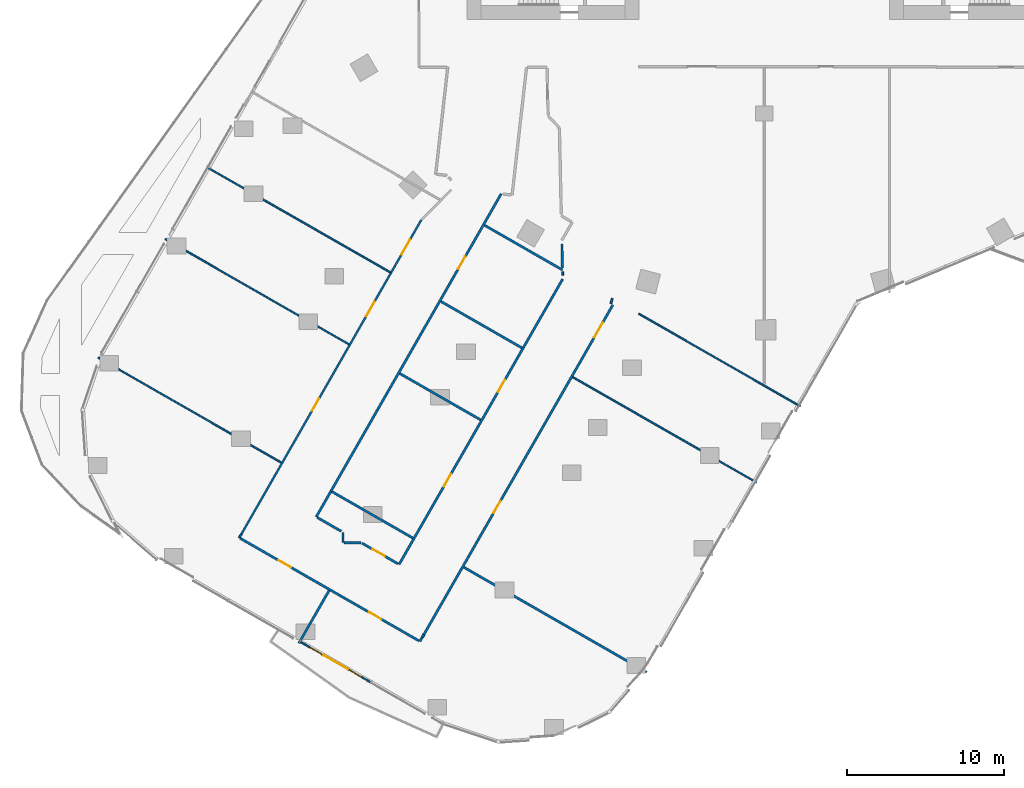
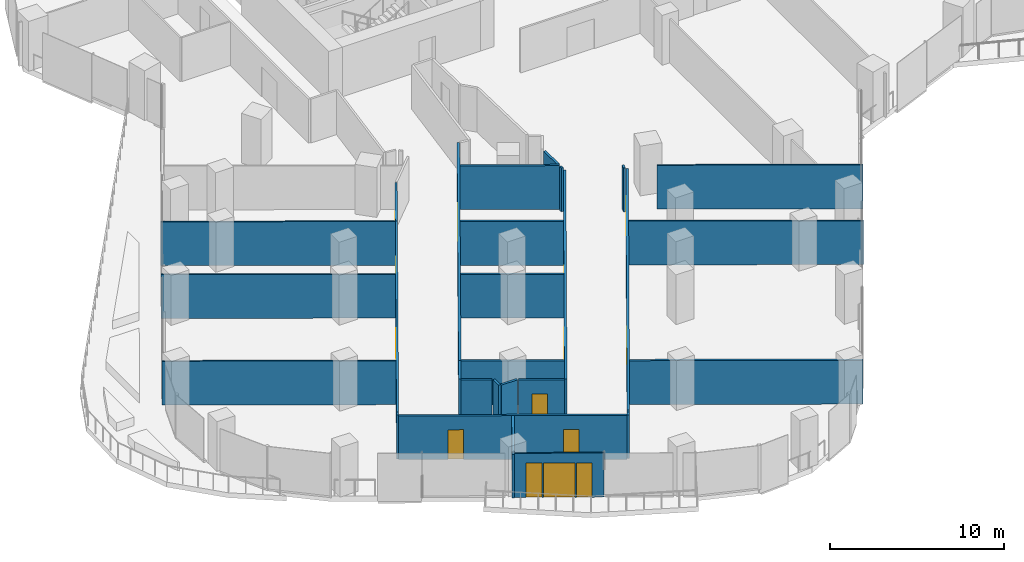
# One storey, part 22 of 34: 29 walls, 12 doors, 2 windows, 14 openings.
"""IFC4 building model written with IfcOpenShell, lengths in metres."""

from ifc_helpers import new_model, si_unit, direction, frame, frame_2d, origin, place, context, subcontext, project, spatial, rectangle, extrude, material, layer, layer_set, type_object, element, fill, save


model = new_model("IFC4")

# Units and contexts
model_context = context("Model", 3, precision=1e-05, world=origin(), true_north=direction((0.0, 1.0)))
body_context = subcontext(model_context, "Body", "Model", "MODEL_VIEW")
ifc_project = project(units=[si_unit("LENGTHUNIT", "METRE"), si_unit("AREAUNIT", "SQUARE_METRE"), si_unit("VOLUMEUNIT", "CUBIC_METRE"), si_unit("PLANEANGLEUNIT", "RADIAN"), si_unit("MASSUNIT", "GRAM", prefix="KILO")], contexts=[model_context])

# Site, building, storey
site_placement = place(None, origin())
site = spatial("IfcSite", under=ifc_project, at=site_placement, CompositionType="ELEMENT")
building_placement = place(site_placement, origin())
building = spatial("IfcBuilding", under=site, at=building_placement, Name="Orlundy Tower", CompositionType="ELEMENT")
storey_placement = place(building_placement, frame((0.0, 0.0, 102.199951171875)))
storey = spatial("IfcBuildingStorey", under=building, at=storey_placement, Name="L25", CompositionType="ELEMENT", Elevation=102.199951171875)

# Walls
ifc_material_1 = material(Name="Gypsum board partition")
ifc_layer_1 = layer(ifc_material_1, 0.10009765625)
ifc_layer_set_1 = layer_set([ifc_layer_1], Name="Floor partition 100")
wall_type_1 = type_object("IfcWallType", Name="Floor partition 100", PredefinedType="PARTITIONING", material=ifc_layer_set_1)
wall_1_placement = place(storey_placement, frame((-42.5419921875, -33.5869140625, 0.0), z_axis=(0.0, 0.0, 1.0), x_axis=(0.867443920759, -0.497534967956, 0.0)))
element("IfcWall", 1, at=wall_1_placement, inside=storey, type_object=wall_type_1, Name="wall-int-L25-012", PredefinedType="PARTITIONING", context=body_context, shape_type="SweptSolid", body=[
    extrude(rectangle(XDim=13.478515625, YDim=0.10009765625, at=frame_2d((6.7392578125, 0.0))), origin(), (0.0, 0.0, 1.0), 3.080078125),
])
wall_2_placement = place(storey_placement, frame((-38.260986328125, -26.012939453125, 0.0), z_axis=(0.0, 0.0, 1.0), x_axis=(0.867449007851, -0.49752609859, 0.0)))
element("IfcWall", 2, at=wall_2_placement, inside=storey, type_object=wall_type_1, Name="wall-int-L25-015", PredefinedType="PARTITIONING", context=body_context, shape_type="SweptSolid", body=[
    extrude(rectangle(XDim=13.52685546875, YDim=0.10009765625, at=frame_2d((6.763427734375, 0.0))), origin(), (0.0, 0.0, 1.0), 3.080078125),
])
wall_3_placement = place(storey_placement, frame((-35.6240234375, -21.4150390625, 0.0), z_axis=(0.0, 0.0, 1.0), x_axis=(0.867457713736, -0.497510919358, 0.0)))
element("IfcWall", 3, at=wall_3_placement, inside=storey, type_object=wall_type_1, Name="wall-int-L25-017", PredefinedType="PARTITIONING", context=body_context, shape_type="SweptSolid", body=[
    extrude(rectangle(XDim=13.5234375, YDim=0.10009765625, at=frame_2d((6.76171875, 0.0))), origin(), (0.0, 0.0, 1.0), 3.080078125),
])
wall_4_placement = place(storey_placement, frame((-12.22509765625, -34.8349609375, 0.0), z_axis=(0.0, 0.0, 1.0), x_axis=(0.867497921586, -0.497440806573, 0.0)))
element("IfcWall", 4, at=wall_4_placement, inside=storey, type_object=wall_type_1, Name="wall-int-L25-019", PredefinedType="PARTITIONING", context=body_context, shape_type="SweptSolid", body=[
    extrude(rectangle(XDim=13.525390625, YDim=0.10009765625, at=frame_2d((6.7626953125, 0.0))), origin(), (0.0, 0.0, 1.0), 3.080078125),
])
wall_5_placement = place(storey_placement, frame((-8.014892578125, -30.784912109375, 0.0), z_axis=(0.0, 0.0, 1.0), x_axis=(0.867483873935, -0.497465303778, 0.0)))
element("IfcWall", 5, at=wall_5_placement, inside=storey, type_object=wall_type_1, Name="wall-int-L25-022", PredefinedType="PARTITIONING", context=body_context, shape_type="SweptSolid", body=[
    extrude(rectangle(XDim=11.888427734375, YDim=0.10009765625, at=frame_2d((5.9443359375, 0.0))), origin(), (0.0, 0.0, 1.0), 3.080078125),
])
ifc_material_2 = material(Name="Gypsum board partition, double layer")
ifc_layer_2 = layer(ifc_material_2, 0.125)
ifc_layer_set_2 = layer_set([ifc_layer_2], Name="Floor partition 125")
wall_type_2 = type_object("IfcWallType", Name="Floor partition 125", PredefinedType="PARTITIONING", material=ifc_layer_set_2)
wall_6_placement = place(storey_placement, frame((-12.883056640625, -28.116943359375, 0.0), z_axis=(0.0, 0.0, 1.0), x_axis=(0.019672118342, -0.999806485156, 0.0)))
element("IfcWall", 6, at=wall_6_placement, inside=storey, type_object=wall_type_2, Name="wall-int-L25-005", PredefinedType="PARTITIONING", context=body_context, shape_type="SweptSolid", body=[
    extrude(rectangle(XDim=0.2109375, YDim=0.125, at=frame_2d((0.10546875, 0.0))), origin(), (0.0, 0.0, 1.0), 3.080078125),
])

# Wall, opening, door
wall_7_placement = place(storey_placement, frame((-23.839111328125, -28.174072265625, 0.0), z_axis=(0.0, 0.0, 1.0), x_axis=(0.49701747238, 0.867740532734, 0.0)))
wall_7 = element("IfcWall", 7, at=wall_7_placement, inside=storey, type_object=wall_type_2, Name="wall-int-L25-063", PredefinedType="PARTITIONING", context=body_context, shape_type="SweptSolid", body=[
    extrude(rectangle(XDim=3.889404296875, YDim=0.125, at=frame_2d((1.94482421875, 0.0))), origin(), (0.0, 0.0, 1.0), 3.080078125),
])
opening_1_placement = place(wall_7_placement, frame((1.35009765625, 0.0, 0.0)))
opening_1 = element("IfcOpeningElement", 8, at=opening_1_placement, cuts=wall_7, Name="Opening 20117", PredefinedType="OPENING", context=body_context, shape_type="SweptSolid", body=[
    extrude(rectangle(XDim=1.10009765625, YDim=2.10009765625, at=frame_2d((0.550048828125, 1.050048828125))), frame((0.0, 0.072509765625, 0.0), z_axis=(0.0, -1.0, 0.0), x_axis=(1.0, 0.0, 0.0)), (0.0, 0.0, 1.0), 0.14501953125),
])
ifc_material_3 = material(Name="Timber door leaf", Category="wood")
door_type_1 = type_object("IfcDoorType", Name="Floor door xwide 1100 FD30S", OperationType="NOTDEFINED", PredefinedType="DOOR", material=ifc_material_3)
door_1_placement = place(opening_1_placement, origin())
door_1 = element("IfcDoor", 9, at=door_1_placement, inside=storey, type_object=door_type_1, Name="Door 20117", OperationType="SINGLE_SWING_LEFT", OverallHeight=2.10009765625, OverallWidth=1.10009765625, PredefinedType="DOOR", context=body_context, shape_type="SweptSolid", body=[
    extrude(rectangle(XDim=1.10009765625, YDim=2.10009765625, at=frame_2d((0.550048828125, 1.050048828125))), frame((0.0, 0.02490234375, 0.0), z_axis=(0.0, -1.0, 0.0), x_axis=(1.0, 0.0, 0.0)), (0.0, 0.0, 1.0), 0.050048828125),
])
fill(opening_1, door_1)

# Wall, openings, doors
wall_8_placement = place(storey_placement, frame((-33.3798828125, -44.8369140625, 0.0), z_axis=(0.0, 0.0, 1.0), x_axis=(0.496890503853, 0.867813244414, 0.0)))
wall_8 = element("IfcWall", 10, at=wall_8_placement, inside=storey, type_object=wall_type_2, Name="wall-int-L25-064", PredefinedType="PARTITIONING", context=body_context, shape_type="SweptSolid", body=[
    extrude(rectangle(XDim=19.200927734375, YDim=0.125, at=frame_2d((9.6005859375, 0.0))), origin(), (0.0, 0.0, 1.0), 3.080078125),
])
opening_2_placement = place(wall_8_placement, frame((16.00048828125, 0.0, 0.0)))
opening_2 = element("IfcOpeningElement", 11, at=opening_2_placement, cuts=wall_8, Name="Opening 20118", PredefinedType="OPENING", context=body_context, shape_type="SweptSolid", body=[
    extrude(rectangle(XDim=1.10009765625, YDim=2.10009765625, at=frame_2d((0.550048828125, 1.050048828125))), frame((0.0, 0.072509765625, 0.0), z_axis=(0.0, -1.0, 0.0), x_axis=(1.0, 0.0, 0.0)), (0.0, 0.0, 1.0), 0.14501953125),
])
opening_3_placement = place(wall_8_placement, frame((9.05029296875, 0.0, 0.0)))
opening_3 = element("IfcOpeningElement", 12, at=opening_3_placement, cuts=wall_8, Name="Opening 20119", PredefinedType="OPENING", context=body_context, shape_type="SweptSolid", body=[
    extrude(rectangle(XDim=0.89990234375, YDim=2.10009765625, at=frame_2d((0.449951171875, 1.050048828125))), frame((0.0, 0.072509765625, 0.0), z_axis=(0.0, -1.0, 0.0), x_axis=(1.0, 0.0, 0.0)), (0.0, 0.0, 1.0), 0.14501953125),
])
ifc_material_4 = material(Name="Timber door leaf", Category="wood")
door_type_2 = type_object("IfcDoorType", Name="Floor door single 900 FD30S", OperationType="NOTDEFINED", PredefinedType="DOOR", material=ifc_material_4)
door_2_placement = place(opening_3_placement, origin())
door_2 = element("IfcDoor", 13, at=door_2_placement, inside=storey, type_object=door_type_2, Name="Door 20119", OperationType="SINGLE_SWING_LEFT", OverallHeight=2.10009765625, OverallWidth=0.89990234375, PredefinedType="DOOR", context=body_context, shape_type="SweptSolid", body=[
    extrude(rectangle(XDim=0.89990234375, YDim=2.10009765625, at=frame_2d((0.449951171875, 1.050048828125))), frame((0.0, 0.02490234375, 0.0), z_axis=(0.0, -1.0, 0.0), x_axis=(1.0, 0.0, 0.0)), (0.0, 0.0, 1.0), 0.050048828125),
])
fill(opening_3, door_2)
door_3_placement = place(opening_2_placement, origin())
door_3 = element("IfcDoor", 14, at=door_3_placement, inside=storey, type_object=door_type_1, Name="Door 20118", OperationType="SINGLE_SWING_RIGHT", OverallHeight=2.10009765625, OverallWidth=1.10009765625, PredefinedType="DOOR", context=body_context, shape_type="SweptSolid", body=[
    extrude(rectangle(XDim=1.10009765625, YDim=2.10009765625, at=frame_2d((0.550048828125, 1.050048828125))), frame((0.0, 0.02490234375, 0.0), z_axis=(0.0, -1.0, 0.0), x_axis=(1.0, 0.0, 0.0)), (0.0, 0.0, 1.0), 0.050048828125),
])
fill(opening_2, door_3)

# Walls
wall_9_placement = place(storey_placement, frame((-33.528076171875, -45.096923828125, 0.0), z_axis=(0.0, 0.0, 1.0), x_axis=(0.49517225761, 0.868794817718, 0.0)))
element("IfcWall", 15, at=wall_9_placement, inside=storey, type_object=wall_type_2, Name="wall-int-L25-066", PredefinedType="PARTITIONING", context=body_context, shape_type="SweptSolid", body=[
    extrude(rectangle(XDim=0.29931640625, YDim=0.125, at=frame_2d((0.149658203125, 0.0))), origin(), (0.0, 0.0, 1.0), 3.080078125),
])
wall_10_placement = place(storey_placement, frame((-9.7919921875, -30.136962890625, 0.0), z_axis=(0.0, 0.0, 1.0), x_axis=(0.248903704167, 0.968528237096, 0.0)))
element("IfcWall", 16, at=wall_10_placement, inside=storey, type_object=wall_type_2, Name="wall-int-L25-080", PredefinedType="PARTITIONING", context=body_context, shape_type="SweptSolid", body=[
    extrude(rectangle(XDim=0.33349609375, YDim=0.125, at=frame_2d((0.166748046875, 0.0))), origin(), (0.0, 0.0, 1.0), 3.080078125),
])
ifc_material_5 = material(Name="Blockwork shaft wall", Category="masonry")
ifc_layer_3 = layer(ifc_material_5, 0.14990234375)
ifc_layer_set_3 = layer_set([ifc_layer_3], Name="Floor shaft wall 150")
wall_type_3 = type_object("IfcWallType", Name="Floor shaft wall 150", PredefinedType="PARTITIONING", material=ifc_layer_set_3)
wall_11_placement = place(storey_placement, frame((-12.922119140625, -26.342041015625, 0.0), z_axis=(0.0, 0.0, 1.0), x_axis=(0.021884343994, -0.999760509066, 0.0)))
element("IfcWall", 17, at=wall_11_placement, inside=storey, type_object=wall_type_3, Name="wall-int-L25-002", PredefinedType="PARTITIONING", context=body_context, shape_type="SweptSolid", body=[
    extrude(rectangle(XDim=1.51708984375, YDim=0.14990234375, at=frame_2d((0.758544921875, 0.0))), origin(), (0.0, 0.0, 1.0), 3.080078125),
])

# Wall, openings, doors
wall_12_placement = place(storey_placement, frame((-22.05908203125, -51.675048828125, 0.0), z_axis=(0.0, 0.0, 1.0), x_axis=(-0.867448548379, 0.49752689969, 0.0)))
wall_12 = element("IfcWall", 18, at=wall_12_placement, inside=storey, type_object=wall_type_3, Name="wall-int-L25-009", PredefinedType="PARTITIONING", context=body_context, shape_type="SweptSolid", body=[
    extrude(rectangle(XDim=13.159423828125, YDim=0.14990234375, at=frame_2d((6.57958984375, 0.0))), origin(), (0.0, 0.0, 1.0), 3.080078125),
])
opening_4_placement = place(wall_12_placement, frame((2.77197265625, 0.0, 0.0)))
opening_4 = element("IfcOpeningElement", 19, at=opening_4_placement, cuts=wall_12, Name="Opening 20115", PredefinedType="OPENING", context=body_context, shape_type="SweptSolid", body=[
    extrude(rectangle(XDim=0.89990234375, YDim=2.10009765625, at=frame_2d((0.449951171875, 1.050048828125))), frame((0.0, 0.0849609375, 0.0), z_axis=(0.0, -1.0, 0.0), x_axis=(1.0, 0.0, 0.0)), (0.0, 0.0, 1.0), 0.169921875),
])
opening_5_placement = place(wall_12_placement, frame((9.421142578125, 0.0, 0.0)))
opening_5 = element("IfcOpeningElement", 20, at=opening_5_placement, cuts=wall_12, Name="Opening 20116", PredefinedType="OPENING", context=body_context, shape_type="SweptSolid", body=[
    extrude(rectangle(XDim=0.89990234375, YDim=2.10009765625, at=frame_2d((0.449951171875, 1.050048828125))), frame((0.0, 0.0849609375, 0.0), z_axis=(0.0, -1.0, 0.0), x_axis=(1.0, 0.0, 0.0)), (0.0, 0.0, 1.0), 0.169921875),
])
ifc_material_6 = material(Name="Timber door leaf", Category="wood")
door_type_3 = type_object("IfcDoorType", Name="Floor door single 900 FD60", OperationType="NOTDEFINED", PredefinedType="DOOR", material=ifc_material_6)
door_4_placement = place(opening_4_placement, origin())
door_4 = element("IfcDoor", 21, at=door_4_placement, inside=storey, type_object=door_type_3, Name="Door 20115", OperationType="SINGLE_SWING_LEFT", OverallHeight=2.10009765625, OverallWidth=0.89990234375, PredefinedType="DOOR", context=body_context, shape_type="SweptSolid", body=[
    extrude(rectangle(XDim=0.89990234375, YDim=2.10009765625, at=frame_2d((0.449951171875, 1.050048828125))), frame((0.0, 0.02490234375, 0.0), z_axis=(0.0, -1.0, 0.0), x_axis=(1.0, 0.0, 0.0)), (0.0, 0.0, 1.0), 0.050048828125),
])
fill(opening_4, door_4)
door_5_placement = place(opening_5_placement, origin())
door_5 = element("IfcDoor", 22, at=door_5_placement, inside=storey, type_object=door_type_3, Name="Door 20116", OperationType="SINGLE_SWING_RIGHT", OverallHeight=2.10009765625, OverallWidth=0.89990234375, PredefinedType="DOOR", context=body_context, shape_type="SweptSolid", body=[
    extrude(rectangle(XDim=0.89990234375, YDim=2.10009765625, at=frame_2d((0.449951171875, 1.050048828125))), frame((0.0, 0.02490234375, 0.0), z_axis=(0.0, -1.0, 0.0), x_axis=(1.0, 0.0, 0.0)), (0.0, 0.0, 1.0), 0.050048828125),
])
fill(opening_5, door_5)

# Wall
wall_13_placement = place(storey_placement, frame((-28.550048828125, -43.801025390625, 0.0), z_axis=(0.0, 0.0, 1.0), x_axis=(0.86725420263, -0.497865592325, 0.0)))
element("IfcWall", 23, at=wall_13_placement, inside=storey, type_object=wall_type_3, Name="wall-int-L25-010", PredefinedType="PARTITIONING", context=body_context, shape_type="SweptSolid", body=[
    extrude(rectangle(XDim=1.765380859375, YDim=0.14990234375, at=frame_2d((0.8828125, 0.0))), origin(), (0.0, 0.0, 1.0), 3.080078125),
])

# Wall, opening, door
wall_14_placement = place(storey_placement, frame((-25.68896484375, -45.44189453125, 0.0), z_axis=(0.0, 0.0, 1.0), x_axis=(0.867398027083, -0.497614974264, 0.0)))
wall_14 = element("IfcWall", 24, at=wall_14_placement, inside=storey, type_object=wall_type_3, Name="wall-int-L25-011", PredefinedType="PARTITIONING", context=body_context, shape_type="SweptSolid", body=[
    extrude(rectangle(XDim=2.65283203125, YDim=0.14990234375, at=frame_2d((1.326416015625, 0.0))), origin(), (0.0, 0.0, 1.0), 3.080078125),
])
opening_6_placement = place(wall_14_placement, frame((0.77490234375, 0.0, 0.0)))
opening_6 = element("IfcOpeningElement", 25, at=opening_6_placement, cuts=wall_14, Name="Opening 20110", PredefinedType="OPENING", context=body_context, shape_type="SweptSolid", body=[
    extrude(rectangle(XDim=0.89990234375, YDim=2.10009765625, at=frame_2d((0.449951171875, 1.050048828125))), frame((0.0, 0.0849609375, 0.0), z_axis=(0.0, -1.0, 0.0), x_axis=(1.0, 0.0, 0.0)), (0.0, 0.0, 1.0), 0.169921875),
])
door_6_placement = place(opening_6_placement, origin())
door_6 = element("IfcDoor", 26, at=door_6_placement, inside=storey, type_object=door_type_3, Name="Door 20110", OperationType="SINGLE_SWING_LEFT", OverallHeight=2.10009765625, OverallWidth=0.89990234375, PredefinedType="DOOR", context=body_context, shape_type="SweptSolid", body=[
    extrude(rectangle(XDim=0.89990234375, YDim=2.10009765625, at=frame_2d((0.449951171875, 1.050048828125))), frame((0.0, 0.02490234375, 0.0), z_axis=(0.0, -1.0, 0.0), x_axis=(1.0, 0.0, 0.0)), (0.0, 0.0, 1.0), 0.050048828125),
])
fill(opening_6, door_6)

# Walls
wall_15_placement = place(storey_placement, frame((-27.60595703125, -42.153076171875, 0.0), z_axis=(0.0, 0.0, 1.0), x_axis=(0.867464576118, -0.497498953949, 0.0)))
element("IfcWall", 27, at=wall_15_placement, inside=storey, type_object=wall_type_3, Name="wall-int-L25-013", PredefinedType="PARTITIONING", context=body_context, shape_type="SweptSolid", body=[
    extrude(rectangle(XDim=5.95166015625, YDim=0.14990234375, at=frame_2d((2.975830078125, 0.0))), origin(), (0.0, 0.0, 1.0), 3.080078125),
])
wall_16_placement = place(storey_placement, frame((-19.18896484375, -46.97998046875, 0.0), z_axis=(0.0, 0.0, 1.0), x_axis=(0.867482561881, -0.497467591742, 0.0)))
element("IfcWall", 28, at=wall_16_placement, inside=storey, type_object=wall_type_3, Name="wall-int-L25-014", PredefinedType="PARTITIONING", context=body_context, shape_type="SweptSolid", body=[
    extrude(rectangle(XDim=13.469970703125, YDim=0.14990234375, at=frame_2d((6.73486328125, 0.0))), origin(), (0.0, 0.0, 1.0), 3.080078125),
])
wall_17_placement = place(storey_placement, frame((-23.282958984375, -34.60205078125, 0.0), z_axis=(0.0, 0.0, 1.0), x_axis=(0.867394604178, -0.497620940719, 0.0)))
element("IfcWall", 29, at=wall_17_placement, inside=storey, type_object=wall_type_3, Name="wall-int-L25-016", PredefinedType="PARTITIONING", context=body_context, shape_type="SweptSolid", body=[
    extrude(rectangle(XDim=5.9580078125, YDim=0.14990234375, at=frame_2d((2.97900390625, 0.0))), origin(), (0.0, 0.0, 1.0), 3.080078125),
])
wall_18_placement = place(storey_placement, frame((-20.64990234375, -30.0029296875, 0.0), z_axis=(0.0, 0.0, 1.0), x_axis=(0.867468461176, -0.497492179703, 0.0)))
element("IfcWall", 30, at=wall_18_placement, inside=storey, type_object=wall_type_3, Name="wall-int-L25-018", PredefinedType="PARTITIONING", context=body_context, shape_type="SweptSolid", body=[
    extrude(rectangle(XDim=5.9619140625, YDim=0.14990234375, at=frame_2d((2.98095703125, 0.0))), origin(), (0.0, 0.0, 1.0), 3.080078125),
])
wall_19_placement = place(storey_placement, frame((-17.864013671875, -25.136962890625, 0.0), z_axis=(0.0, 0.0, 1.0), x_axis=(0.867461886369, -0.497503643904, 0.0)))
element("IfcWall", 31, at=wall_19_placement, inside=storey, type_object=wall_type_3, Name="wall-int-L25-021", PredefinedType="PARTITIONING", context=body_context, shape_type="SweptSolid", body=[
    extrude(rectangle(XDim=5.738525390625, YDim=0.14990234375, at=frame_2d((2.869140625, 0.0))), origin(), (0.0, 0.0, 1.0), 3.080078125),
])
wall_20_placement = place(storey_placement, frame((-26.83203125, -45.404052734375, 0.0), z_axis=(0.0, 0.0, 1.0), x_axis=(1.0, 0.0, 0.0)))
element("IfcWall", 32, at=wall_20_placement, inside=storey, type_object=wall_type_3, Name="wall-int-L25-038", PredefinedType="PARTITIONING", context=body_context, shape_type="SweptSolid", body=[
    extrude(rectangle(XDim=1.078125, YDim=0.14990234375, at=frame_2d((0.5390625, 0.0))), origin(), (0.0, 0.0, 1.0), 3.080078125),
])
wall_21_placement = place(storey_placement, frame((-21.841064453125, -51.452880859375, 0.0), z_axis=(0.0, 0.0, 1.0), x_axis=(0.502077562302, 0.864822595353, 0.0)))
element("IfcWall", 33, at=wall_21_placement, inside=storey, type_object=wall_type_3, Name="wall-int-L25-057", PredefinedType="PARTITIONING", context=body_context, shape_type="SweptSolid", body=[
    extrude(rectangle(XDim=0.203369140625, YDim=0.14990234375, at=frame_2d((0.1015625, 0.0))), origin(), (0.0, 0.0, 1.0), 3.080078125),
])

# Wall, openings, doors
wall_22_placement = place(storey_placement, frame((-9.673095703125, -30.22900390625, 0.0), z_axis=(0.0, 0.0, 1.0), x_axis=(-0.497332712809, -0.867559895783, 0.0)))
wall_22 = element("IfcWall", 34, at=wall_22_placement, inside=storey, type_object=wall_type_3, Name="wall-int-L25-058", PredefinedType="PARTITIONING", context=body_context, shape_type="SweptSolid", body=[
    extrude(rectangle(XDim=24.26123046875, YDim=0.14990234375, at=frame_2d((12.130615234375, 0.0))), origin(), (0.0, 0.0, 1.0), 3.080078125),
])
opening_7_placement = place(wall_22_placement, frame((1.288330078125, 0.0, 0.0)))
opening_7 = element("IfcOpeningElement", 35, at=opening_7_placement, cuts=wall_22, Name="Opening 20111", PredefinedType="OPENING", context=body_context, shape_type="SweptSolid", body=[
    extrude(rectangle(XDim=1.10009765625, YDim=2.10009765625, at=frame_2d((0.550048828125, 1.050048828125))), frame((0.0, 0.0849609375, 0.0), z_axis=(0.0, -1.0, 0.0), x_axis=(1.0, 0.0, 0.0)), (0.0, 0.0, 1.0), 0.169921875),
])
opening_8_placement = place(wall_22_placement, frame((14.41455078125, 0.0, 0.0)))
opening_8 = element("IfcOpeningElement", 36, at=opening_8_placement, cuts=wall_22, Name="Opening 20112", PredefinedType="OPENING", context=body_context, shape_type="SweptSolid", body=[
    extrude(rectangle(XDim=0.89990234375, YDim=2.10009765625, at=frame_2d((0.449951171875, 1.050048828125))), frame((0.0, 0.0849609375, 0.0), z_axis=(0.0, -1.0, 0.0), x_axis=(1.0, 0.0, 0.0)), (0.0, 0.0, 1.0), 0.169921875),
])
door_7_placement = place(opening_8_placement, origin())
door_7 = element("IfcDoor", 37, at=door_7_placement, inside=storey, type_object=door_type_3, Name="Door 20112", OperationType="SINGLE_SWING_RIGHT", OverallHeight=2.10009765625, OverallWidth=0.89990234375, PredefinedType="DOOR", context=body_context, shape_type="SweptSolid", body=[
    extrude(rectangle(XDim=0.89990234375, YDim=2.10009765625, at=frame_2d((0.449951171875, 1.050048828125))), frame((0.0, 0.02490234375, 0.0), z_axis=(0.0, -1.0, 0.0), x_axis=(1.0, 0.0, 0.0)), (0.0, 0.0, 1.0), 0.050048828125),
])
fill(opening_8, door_7)
ifc_material_7 = material(Name="Timber door leaf", Category="wood")
door_type_4 = type_object("IfcDoorType", Name="Floor door xwide 1100 FD60", OperationType="NOTDEFINED", PredefinedType="DOOR", material=ifc_material_7)
door_8_placement = place(opening_7_placement, origin())
door_8 = element("IfcDoor", 38, at=door_8_placement, inside=storey, type_object=door_type_4, Name="Door 20111", OperationType="SINGLE_SWING_LEFT", OverallHeight=2.10009765625, OverallWidth=1.10009765625, PredefinedType="DOOR", context=body_context, shape_type="SweptSolid", body=[
    extrude(rectangle(XDim=1.10009765625, YDim=2.10009765625, at=frame_2d((0.550048828125, 1.050048828125))), frame((0.0, 0.02490234375, 0.0), z_axis=(0.0, -1.0, 0.0), x_axis=(1.0, 0.0, 0.0)), (0.0, 0.0, 1.0), 0.050048828125),
])
fill(opening_7, door_8)

wall_23_placement = place(storey_placement, frame((-23.322998046875, -46.799072265625, 0.0), z_axis=(0.0, 0.0, 1.0), x_axis=(0.497421315986, 0.867509097591, 0.0)))
wall_23 = element("IfcWall", 39, at=wall_23_placement, inside=storey, type_object=wall_type_3, Name="wall-int-L25-059", PredefinedType="PARTITIONING", context=body_context, shape_type="SweptSolid", body=[
    extrude(rectangle(XDim=21.00634765625, YDim=0.14990234375, at=frame_2d((10.503173828125, 0.0))), origin(), (0.0, 0.0, 1.0), 3.080078125),
])
opening_9_placement = place(wall_23_placement, frame((12.69970703125, 0.0, 0.0)))
opening_9 = element("IfcOpeningElement", 40, at=opening_9_placement, cuts=wall_23, Name="Opening 20109", PredefinedType="OPENING", context=body_context, shape_type="SweptSolid", body=[
    extrude(rectangle(XDim=0.89990234375, YDim=2.10009765625, at=frame_2d((0.449951171875, 1.050048828125))), frame((0.0, 0.0849609375, 0.0), z_axis=(0.0, -1.0, 0.0), x_axis=(1.0, 0.0, 0.0)), (0.0, 0.0, 1.0), 0.169921875),
])
opening_10_placement = place(wall_23_placement, frame((5.749755859375, 0.0, 0.0)))
opening_10 = element("IfcOpeningElement", 41, at=opening_10_placement, cuts=wall_23, Name="Opening 20114", PredefinedType="OPENING", context=body_context, shape_type="SweptSolid", body=[
    extrude(rectangle(XDim=0.89990234375, YDim=2.10009765625, at=frame_2d((0.449951171875, 1.050048828125))), frame((0.0, 0.0849609375, 0.0), z_axis=(0.0, -1.0, 0.0), x_axis=(1.0, 0.0, 0.0)), (0.0, 0.0, 1.0), 0.169921875),
])
door_9_placement = place(opening_9_placement, origin())
door_9 = element("IfcDoor", 42, at=door_9_placement, inside=storey, type_object=door_type_3, Name="Door 20109", OperationType="SINGLE_SWING_RIGHT", OverallHeight=2.10009765625, OverallWidth=0.89990234375, PredefinedType="DOOR", context=body_context, shape_type="SweptSolid", body=[
    extrude(rectangle(XDim=0.89990234375, YDim=2.10009765625, at=frame_2d((0.449951171875, 1.050048828125))), frame((0.0, 0.02490234375, 0.0), z_axis=(0.0, -1.0, 0.0), x_axis=(1.0, 0.0, 0.0)), (0.0, 0.0, 1.0), 0.050048828125),
])
fill(opening_9, door_9)
door_10_placement = place(opening_10_placement, origin())
door_10 = element("IfcDoor", 43, at=door_10_placement, inside=storey, type_object=door_type_3, Name="Door 20114", OperationType="SINGLE_SWING_LEFT", OverallHeight=2.10009765625, OverallWidth=0.89990234375, PredefinedType="DOOR", context=body_context, shape_type="SweptSolid", body=[
    extrude(rectangle(XDim=0.89990234375, YDim=2.10009765625, at=frame_2d((0.449951171875, 1.050048828125))), frame((0.0, 0.02490234375, 0.0), z_axis=(0.0, -1.0, 0.0), x_axis=(1.0, 0.0, 0.0)), (0.0, 0.0, 1.0), 0.050048828125),
])
fill(opening_10, door_10)

# Walls
wall_24_placement = place(storey_placement, frame((-29.72412109375, -51.8310546875, 0.0), z_axis=(0.0, 0.0, 1.0), x_axis=(0.497726194035, 0.867334212269, 0.0)))
element("IfcWall", 44, at=wall_24_placement, inside=storey, type_object=wall_type_3, Name="wall-int-L25-060", PredefinedType="PARTITIONING", context=body_context, shape_type="SweptSolid", body=[
    extrude(rectangle(XDim=3.8740234375, YDim=0.14990234375, at=frame_2d((1.93701171875, 0.0))), origin(), (0.0, 0.0, 1.0), 3.080078125),
])
wall_25_placement = place(storey_placement, frame((-28.614990234375, -43.763916015625, 0.0), z_axis=(0.0, 0.0, 1.0), x_axis=(0.497093846187, 0.867696783492, 0.0)))
element("IfcWall", 45, at=wall_25_placement, inside=storey, type_object=wall_type_3, Name="wall-int-L25-061", PredefinedType="PARTITIONING", context=body_context, shape_type="SweptSolid", body=[
    extrude(rectangle(XDim=1.899169921875, YDim=0.14990234375, at=frame_2d((0.94970703125, 0.0))), origin(), (0.0, 0.0, 1.0), 3.080078125),
])

# Wall, opening, door
wall_26_placement = place(storey_placement, frame((-16.800048828125, -23.1279296875, 0.0), z_axis=(0.0, 0.0, 1.0), x_axis=(-0.496846554385, -0.867838407422, 0.0)))
wall_26 = element("IfcWall", 46, at=wall_26_placement, inside=storey, type_object=wall_type_3, Name="wall-int-L25-062", PredefinedType="PARTITIONING", context=body_context, shape_type="SweptSolid", body=[
    extrude(rectangle(XDim=21.879638671875, YDim=0.14990234375, at=frame_2d((10.93994140625, 0.0))), origin(), (0.0, 0.0, 1.0), 3.080078125),
])
opening_11_placement = place(wall_26_placement, frame((4.622314453125, 0.0, 0.0)))
opening_11 = element("IfcOpeningElement", 47, at=opening_11_placement, cuts=wall_26, Name="Opening 20113", PredefinedType="OPENING", context=body_context, shape_type="SweptSolid", body=[
    extrude(rectangle(XDim=0.89990234375, YDim=2.10009765625, at=frame_2d((0.449951171875, 1.050048828125))), frame((0.0, 0.0849609375, 0.0), z_axis=(0.0, -1.0, 0.0), x_axis=(1.0, 0.0, 0.0)), (0.0, 0.0, 1.0), 0.169921875),
])
door_11_placement = place(opening_11_placement, origin())
door_11 = element("IfcDoor", 48, at=door_11_placement, inside=storey, type_object=door_type_3, Name="Door 20113", OperationType="SINGLE_SWING_LEFT", OverallHeight=2.10009765625, OverallWidth=0.89990234375, PredefinedType="DOOR", context=body_context, shape_type="SweptSolid", body=[
    extrude(rectangle(XDim=0.89990234375, YDim=2.10009765625, at=frame_2d((0.449951171875, 1.050048828125))), frame((0.0, 0.02490234375, 0.0), z_axis=(0.0, -1.0, 0.0), x_axis=(1.0, 0.0, 0.0)), (0.0, 0.0, 1.0), 0.050048828125),
])
fill(opening_11, door_11)

# Walls
wall_27_placement = place(storey_placement, frame((-21.989990234375, -51.714111328125, 0.0), z_axis=(0.0, 0.0, 1.0), x_axis=(0.495264323533, 0.868742338001, 0.0)))
element("IfcWall", 49, at=wall_27_placement, inside=storey, type_object=wall_type_3, Name="wall-int-L25-065", PredefinedType="PARTITIONING", context=body_context, shape_type="SweptSolid", body=[
    extrude(rectangle(XDim=0.30078125, YDim=0.14990234375, at=frame_2d((0.150390625, 0.0))), origin(), (0.0, 0.0, 1.0), 3.080078125),
])
wall_28_placement = place(storey_placement, frame((-26.906982421875, -45.404052734375, 0.0), z_axis=(0.0, 0.0, 1.0), x_axis=(0.0, 1.0, 0.0)))
element("IfcWall", 50, at=wall_28_placement, inside=storey, type_object=wall_type_3, Name="wall-int-L25-098", PredefinedType="PARTITIONING", context=body_context, shape_type="SweptSolid", body=[
    extrude(rectangle(XDim=0.66015625, YDim=0.14990234375, at=frame_2d((0.330078125, 0.0))), origin(), (0.0, 0.0, 1.0), 3.080078125),
])

# Wall, openings, windows, door
ifc_material_8 = material(Name="Aluminium bronze and tinted glass", Category="aluminium")
ifc_layer_4 = layer(ifc_material_8, 0.10009765625)
ifc_layer_set_4 = layer_set([ifc_layer_4], Name="Glazed door screen")
wall_type_4 = type_object("IfcWallType", Name="Glazed door screen", PredefinedType="STANDARD", material=ifc_layer_set_4)
wall_29_placement = place(storey_placement, frame((-25.131591796875, -54.32666015625, 0.0), z_axis=(0.0, 0.0, 1.0), x_axis=(-0.867469059899, 0.497491135718, 0.0)))
wall_29 = element("IfcWall", 51, at=wall_29_placement, inside=storey, type_object=wall_type_4, Name="Glazed door screen", PredefinedType="STANDARD", context=body_context, shape_type="SweptSolid", body=[
    extrude(rectangle(XDim=5.150390625, YDim=0.10009765625, at=frame_2d((2.5751953125, 0.0))), origin(), (0.0, 0.0, 1.0), 3.10009765625),
])
opening_12_placement = place(wall_29_placement, frame((1.675048828125, 0.0, 0.0)))
opening_12 = element("IfcOpeningElement", 52, at=opening_12_placement, cuts=wall_29, Name="Opening 20941", PredefinedType="OPENING", context=body_context, shape_type="SweptSolid", body=[
    extrude(rectangle(XDim=1.800048828125, YDim=2.39990234375, at=frame_2d((0.89990234375, 1.199951171875))), frame((0.0, 0.06005859375, 0.0), z_axis=(0.0, -1.0, 0.0), x_axis=(1.0, 0.0, 0.0)), (0.0, 0.0, 1.0), 0.1201171875),
])
opening_13_placement = place(wall_29_placement, frame((0.675048828125, 0.0, 0.0)))
opening_13 = element("IfcOpeningElement", 53, at=opening_13_placement, cuts=wall_29, Name="Opening W02", PredefinedType="OPENING", context=body_context, shape_type="SweptSolid", body=[
    extrude(rectangle(XDim=0.89990234375, YDim=2.39990234375, at=frame_2d((0.449951171875, 1.199951171875))), frame((0.0, 0.06005859375, 0.0), z_axis=(0.0, -1.0, 0.0), x_axis=(1.0, 0.0, 0.0)), (0.0, 0.0, 1.0), 0.1201171875),
])
opening_14_placement = place(wall_29_placement, frame((3.5751953125, 0.0, 0.0)))
opening_14 = element("IfcOpeningElement", 54, at=opening_14_placement, cuts=wall_29, Name="Opening W02", PredefinedType="OPENING", context=body_context, shape_type="SweptSolid", body=[
    extrude(rectangle(XDim=0.89990234375, YDim=2.39990234375, at=frame_2d((0.449951171875, 1.199951171875))), frame((0.0, 0.06005859375, 0.0), z_axis=(0.0, -1.0, 0.0), x_axis=(1.0, 0.0, 0.0)), (0.0, 0.0, 1.0), 0.1201171875),
])
ifc_material_9 = material(Name="Tinted glass in bronze aluminium frame", Category="aluminium")
window_type = type_object("IfcWindowType", Name="SL2 sidelight 900x2400", PartitioningType="SINGLE_PANEL", PredefinedType="WINDOW", material=ifc_material_9)
window_1_placement = place(opening_13_placement, origin())
window_1 = element("IfcWindow", 55, at=window_1_placement, inside=storey, type_object=window_type, Name="Window W02 L25", OverallHeight=2.39990234375, OverallWidth=0.89990234375, PartitioningType="SINGLE_PANEL", PredefinedType="WINDOW", context=body_context, shape_type="SweptSolid", body=[
    extrude(rectangle(XDim=0.89990234375, YDim=2.39990234375, at=frame_2d((0.449951171875, 1.199951171875))), frame((0.0, 0.030029296875, 0.0), z_axis=(0.0, -1.0, 0.0), x_axis=(1.0, 0.0, 0.0)), (0.0, 0.0, 1.0), 0.06005859375),
])
fill(opening_13, window_1)
window_2_placement = place(opening_14_placement, origin())
window_2 = element("IfcWindow", 56, at=window_2_placement, inside=storey, type_object=window_type, Name="Window W02 L25", OverallHeight=2.39990234375, OverallWidth=0.89990234375, PartitioningType="SINGLE_PANEL", PredefinedType="WINDOW", context=body_context, shape_type="SweptSolid", body=[
    extrude(rectangle(XDim=0.89990234375, YDim=2.39990234375, at=frame_2d((0.449951171875, 1.199951171875))), frame((0.0, 0.030029296875, 0.0), z_axis=(0.0, -1.0, 0.0), x_axis=(1.0, 0.0, 0.0)), (0.0, 0.0, 1.0), 0.06005859375),
])
fill(opening_14, window_2)
ifc_material_10 = material(Name="Aluminium bronze and tinted glass", Category="aluminium")
door_type_5 = type_object("IfcDoorType", Name="TD3 terrace sliding door 1800x2400", OperationType="DOUBLE_DOOR_SLIDING", PredefinedType="DOOR", material=ifc_material_10)
door_12_placement = place(opening_12_placement, origin())
door_12 = element("IfcDoor", 57, at=door_12_placement, inside=storey, type_object=door_type_5, Name="Door 20941", OperationType="DOUBLE_DOOR_SLIDING", OverallHeight=2.39990234375, OverallWidth=1.800048828125, PredefinedType="DOOR", context=body_context, shape_type="SweptSolid", body=[
    extrude(rectangle(XDim=1.800048828125, YDim=2.39990234375, at=frame_2d((0.89990234375, 1.199951171875))), frame((0.0, 0.02490234375, 0.0), z_axis=(0.0, -1.0, 0.0), x_axis=(1.0, 0.0, 0.0)), (0.0, 0.0, 1.0), 0.050048828125),
])
fill(opening_12, door_12)

save(model, "model.ifc")
